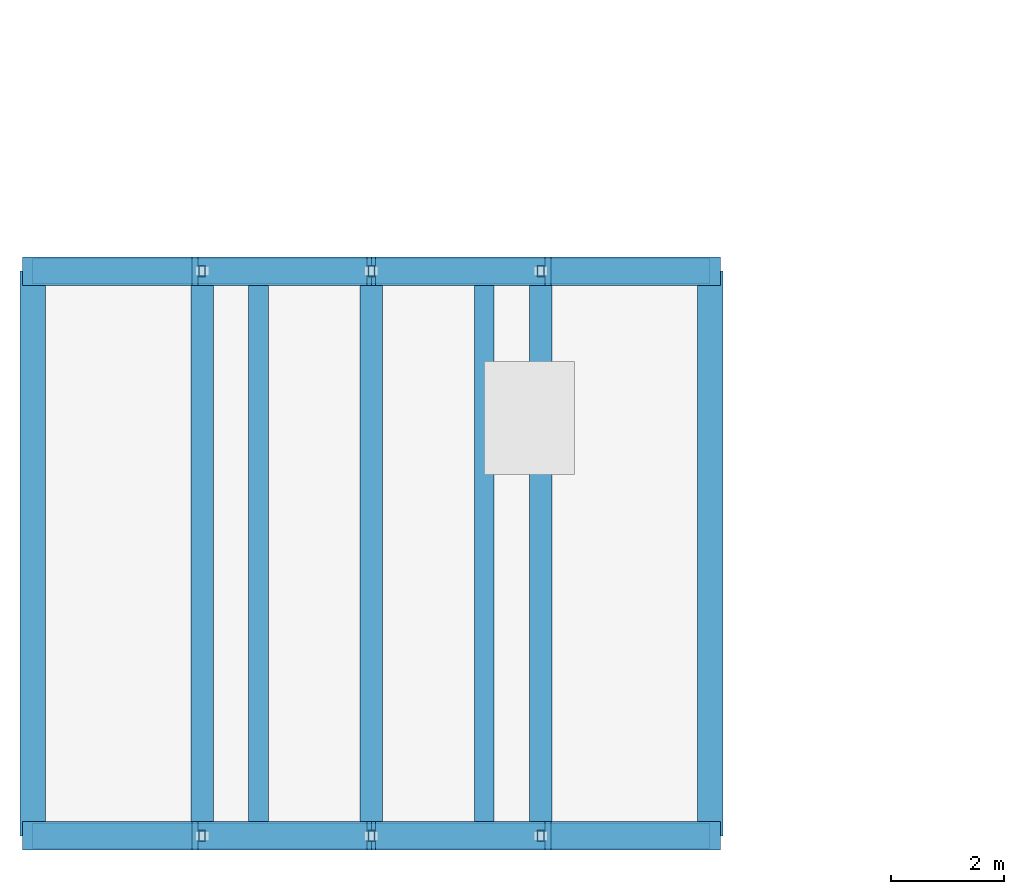
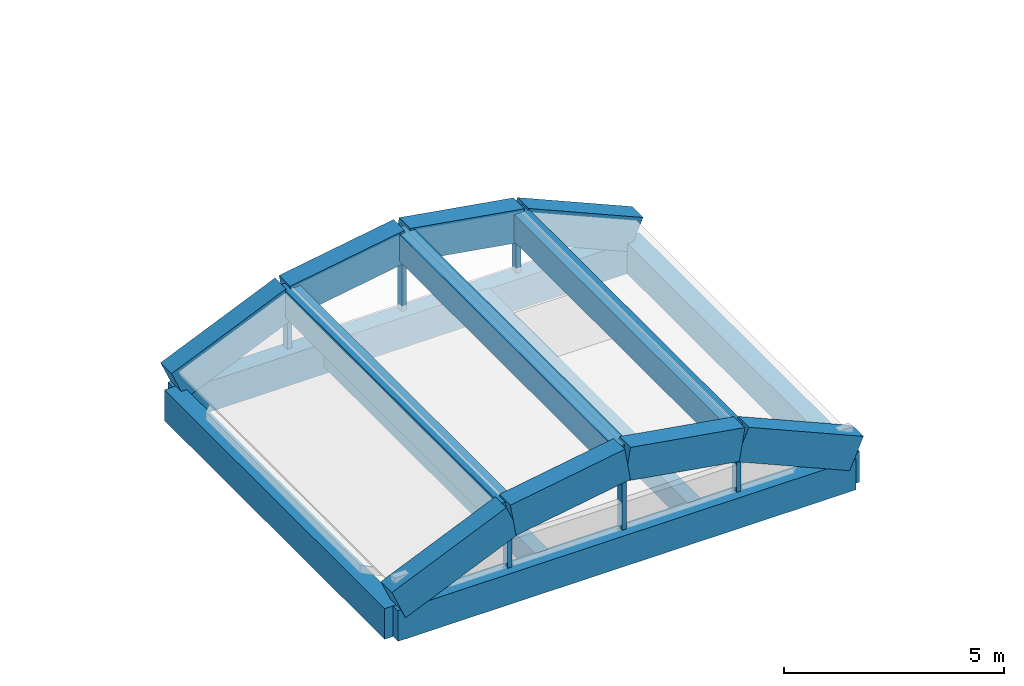
# One storey, part 5 of 82: 17 beams, 6 members.
"""IFC4 building model written with IfcOpenShell, lengths in metres."""

from ifc_helpers import new_model, si_unit, direction, frame, origin, origin_2d, place, context, subcontext, project, spatial, rectangle, hollow_rectangle, extrude, material, material_profile, profile_set, type_object, element, save


model = new_model("IFC4")

# Units and contexts
model_context = context("Model", 3, precision=1e-05, world=origin(), true_north=direction((0.0, 1.0)))
body_context = subcontext(model_context, "Body", "Model", "MODEL_VIEW")
ifc_project = project(units=[si_unit("LENGTHUNIT", "METRE"), si_unit("AREAUNIT", "SQUARE_METRE"), si_unit("VOLUMEUNIT", "CUBIC_METRE"), si_unit("PLANEANGLEUNIT", "RADIAN"), si_unit("MASSUNIT", "GRAM", prefix="KILO")], contexts=[model_context])

# Site, building, storey
site_placement = place(None, origin())
site = spatial("IfcSite", under=ifc_project, at=site_placement, CompositionType="ELEMENT")
building_placement = place(site_placement, origin())
building = spatial("IfcBuilding", under=site, at=building_placement, Name="Mersad Railyard Sports Hall", CompositionType="ELEMENT")
storey_placement = place(building_placement, frame((0.0, 0.0, 13.199951171875)))
storey = spatial("IfcBuildingStorey", under=building, at=storey_placement, Name="L03", CompositionType="ELEMENT", Elevation=13.199951171875)

# Beams
ifc_material_1 = material(Name="Concrete C40/50", Category="concrete")
ifc_material_profile_1 = material_profile(ifc_material_1, rectangle(XDim=0.39990234375, YDim=0.75, at=origin_2d()), Name="RC 400x750")
ifc_profile_set_1 = profile_set([ifc_material_profile_1], Name="Concrete C40/50")
beam_type_1 = type_object("IfcBeamType", Name="STR-BM-B01", PredefinedType="BEAM", material=ifc_profile_set_1)
for number, where, z_axis, x_axis, name in (
    (1, (10.0, 3.5, 1.25), (0.0, 1.0, 0.0), (-1.0, 0.0, 0.0), "Beam B01-1589"),
    (2, (13.0, 3.5, 1.75), (0.0, 1.0, 0.0), (-1.0, 0.0, 0.0), "Beam B01-1590"),
    (3, (16.0, 3.5, 1.25), (0.0, 1.0, 0.0), (-1.0, 0.0, 0.0), "Beam B01-1591"),
):
    element("IfcBeam", number, at=place(storey_placement, frame(where, z_axis=z_axis, x_axis=x_axis)), inside=storey, type_object=beam_type_1, Name=name, PredefinedType="BEAM", context=body_context, shape_type="SweptSolid", body=[
        extrude(rectangle(XDim=0.39990234375, YDim=0.75, at=origin_2d()), origin(), (0.0, 0.0, 1.0), 10.0),
    ])
ifc_material_profile_2 = material_profile(ifc_material_1, rectangle(XDim=0.449951171875, YDim=0.85009765625, at=origin_2d()), Name="RC 450x850")
ifc_profile_set_2 = profile_set([ifc_material_profile_2], Name="Concrete C40/50")
beam_type_2 = type_object("IfcBeamType", Name="STR-BM-B02", PredefinedType="BEAM", material=ifc_profile_set_2)
for number, where, z_axis, x_axis, name in (
    (4, (7.0, 3.5, -0.64501953125), (1.0, 0.0, 0.0), (0.0, 1.0, 0.0), "Beam B02-0560"),
    (5, (7.0, 13.5, -0.64501953125), (1.0, 0.0, 0.0), (0.0, 1.0, 0.0), "Beam B02-0561"),
):
    element("IfcBeam", number, at=place(storey_placement, frame(where, z_axis=z_axis, x_axis=x_axis)), inside=storey, type_object=beam_type_2, Name=name, PredefinedType="BEAM", context=body_context, shape_type="SweptSolid", body=[
        extrude(rectangle(XDim=0.449951171875, YDim=0.85009765625, at=origin_2d()), origin(), (0.0, 0.0, 1.0), 12.0),
    ])
for number, where, z_axis, x_axis, name in (
    (6, (7.0, 3.5, -0.64501953125), (0.0, 1.0, 0.0), (-1.0, 0.0, 0.0), "Beam B02-0562"),
    (7, (19.0, 3.5, -0.64501953125), (0.0, 1.0, 0.0), (-1.0, 0.0, 0.0), "Beam B02-0563"),
):
    element("IfcBeam", number, at=place(storey_placement, frame(where, z_axis=z_axis, x_axis=x_axis)), inside=storey, type_object=beam_type_2, Name=name, PredefinedType="BEAM", context=body_context, shape_type="SweptSolid", body=[
        extrude(rectangle(XDim=0.449951171875, YDim=0.85009765625, at=origin_2d()), origin(), (0.0, 0.0, 1.0), 10.0),
    ])
ifc_material_profile_3 = material_profile(ifc_material_1, rectangle(XDim=0.35009765625, YDim=0.64990234375, at=origin_2d()), Name="RC 350x650")
ifc_profile_set_3 = profile_set([ifc_material_profile_3], Name="Concrete C40/50")
beam_type_3 = type_object("IfcBeamType", Name="STR-BM-J01", PredefinedType="JOIST", material=ifc_profile_set_3)
for number, where, z_axis, x_axis, name in (
    (8, (11.0, 3.679931640625, -0.544921875), (0.0, 1.0, 0.0), (-1.0, 0.0, 0.0), "Beam J01-0564"),
    (9, (15.0, 3.679931640625, -0.544921875), (0.0, 1.0, 0.0), (-1.0, 0.0, 0.0), "Beam J01-0565"),
):
    element("IfcBeam", number, at=place(storey_placement, frame(where, z_axis=z_axis, x_axis=x_axis)), inside=storey, type_object=beam_type_3, Name=name, PredefinedType="JOIST", context=body_context, shape_type="SweptSolid", body=[
        extrude(rectangle(XDim=0.35009765625, YDim=0.64990234375, at=origin_2d()), origin(), (0.0, 0.0, 1.0), 9.64013671875),
    ])
ifc_material_2 = material(Name="Architectural concrete C50/60", Category="concrete")
ifc_material_profile_4 = material_profile(ifc_material_2, rectangle(XDim=0.5, YDim=0.89990234375, at=origin_2d()), Name="VR 500x900")
ifc_profile_set_4 = profile_set([ifc_material_profile_4], Name="Architectural concrete C50/60")
beam_type_4 = type_object("IfcBeamType", Name="STR-BM-VR02", PredefinedType="BEAM", material=ifc_profile_set_4)
beam_1_placement = place(storey_placement, frame((7.0, 3.5, -0.050048828125), z_axis=(0.917550176867, 0.0, 0.397620010727), x_axis=(0.0, 1.0, 0.0)))
element("IfcBeam", 10, at=beam_1_placement, inside=storey, type_object=beam_type_4, Name="Beam VR02-1581", PredefinedType="BEAM", context=body_context, shape_type="SweptSolid", body=[
    extrude(rectangle(XDim=0.5, YDim=0.89990234375, at=origin_2d()), origin(), (0.0, 0.0, 1.0), 3.26953125),
])
for number, where, z_axis, x_axis, name in (
    (11, (10.0, 3.5, 1.25), (0.986393923832, 0.0, 0.164398987305), (0.0, 1.0, 0.0), "Beam VR02-1582"),
    (12, (13.0, 3.5, 1.75), (0.986393923832, 0.0, -0.164398987305), (0.0, 1.0, 0.0), "Beam VR02-1583"),
):
    element("IfcBeam", number, at=place(storey_placement, frame(where, z_axis=z_axis, x_axis=x_axis)), inside=storey, type_object=beam_type_4, Name=name, PredefinedType="BEAM", context=body_context, shape_type="SweptSolid", body=[
        extrude(rectangle(XDim=0.5, YDim=0.89990234375, at=origin_2d()), origin(), (0.0, 0.0, 1.0), 3.041259765625),
    ])
for number, where, z_axis, x_axis, name in (
    (13, (16.0, 3.5, 1.25), (0.917550176867, 0.0, -0.397620010727), (0.0, 1.0, 0.0), "Beam VR02-1584"),
    (14, (7.0, 13.5, -0.050048828125), (0.917550176867, 0.0, 0.397620010727), (0.0, 1.0, 0.0), "Beam VR02-1585"),
):
    element("IfcBeam", number, at=place(storey_placement, frame(where, z_axis=z_axis, x_axis=x_axis)), inside=storey, type_object=beam_type_4, Name=name, PredefinedType="BEAM", context=body_context, shape_type="SweptSolid", body=[
        extrude(rectangle(XDim=0.5, YDim=0.89990234375, at=origin_2d()), origin(), (0.0, 0.0, 1.0), 3.26953125),
    ])
for number, where, z_axis, x_axis, name in (
    (15, (10.0, 13.5, 1.25), (0.986393923832, 0.0, 0.164398987305), (0.0, 1.0, 0.0), "Beam VR02-1586"),
    (16, (13.0, 13.5, 1.75), (0.986393923832, 0.0, -0.164398987305), (0.0, 1.0, 0.0), "Beam VR02-1587"),
):
    element("IfcBeam", number, at=place(storey_placement, frame(where, z_axis=z_axis, x_axis=x_axis)), inside=storey, type_object=beam_type_4, Name=name, PredefinedType="BEAM", context=body_context, shape_type="SweptSolid", body=[
        extrude(rectangle(XDim=0.5, YDim=0.89990234375, at=origin_2d()), origin(), (0.0, 0.0, 1.0), 3.041259765625),
    ])
beam_2_placement = place(storey_placement, frame((16.0, 13.5, 1.25), z_axis=(0.917550176867, 0.0, -0.397620010727), x_axis=(0.0, 1.0, 0.0)))
element("IfcBeam", 17, at=beam_2_placement, inside=storey, type_object=beam_type_4, Name="Beam VR02-1588", PredefinedType="BEAM", context=body_context, shape_type="SweptSolid", body=[
    extrude(rectangle(XDim=0.5, YDim=0.89990234375, at=origin_2d()), origin(), (0.0, 0.0, 1.0), 3.26953125),
])

# Members
ifc_material_3 = material(Name="Steel S355", Category="steel")
ifc_material_profile_5 = material_profile(ifc_material_3, hollow_rectangle(XDim=0.1201171875, YDim=0.199951171875, WallThickness=0.010009765625, at=origin_2d()), Name="RHS 200x120x10")
ifc_profile_set_5 = profile_set([ifc_material_profile_5], Name="Steel S355")
member_type = type_object("IfcMemberType", Name="STR-MEM-SR01", PredefinedType="STRUT", material=ifc_profile_set_5)
member_1_placement = place(storey_placement, frame((10.0, 3.5, -0.14990234375), z_axis=(0.0, 0.0, 1.0), x_axis=(1.0, 0.0, 0.0)))
element("IfcMember", 18, at=member_1_placement, inside=storey, type_object=member_type, Name="Structural member SR01-0384", PredefinedType="STRUT", context=body_context, shape_type="SweptSolid", body=[
    extrude(hollow_rectangle(XDim=0.1201171875, YDim=0.199951171875, WallThickness=0.010009765625, at=origin_2d()), origin(), (0.0, 0.0, 1.0), 1.39990234375),
])
member_2_placement = place(storey_placement, frame((13.0, 3.5, -0.14990234375), z_axis=(0.0, 0.0, 1.0), x_axis=(1.0, 0.0, 0.0)))
element("IfcMember", 19, at=member_2_placement, inside=storey, type_object=member_type, Name="Structural member SR01-0385", PredefinedType="STRUT", context=body_context, shape_type="SweptSolid", body=[
    extrude(hollow_rectangle(XDim=0.1201171875, YDim=0.199951171875, WallThickness=0.010009765625, at=origin_2d()), origin(), (0.0, 0.0, 1.0), 1.89990234375),
])
for number, where, z_axis, x_axis, name in (
    (20, (16.0, 3.5, -0.14990234375), (0.0, 0.0, 1.0), (1.0, 0.0, 0.0), "Structural member SR01-0386"),
    (21, (10.0, 13.5, -0.14990234375), (0.0, 0.0, 1.0), (1.0, 0.0, 0.0), "Structural member SR01-0387"),
):
    element("IfcMember", number, at=place(storey_placement, frame(where, z_axis=z_axis, x_axis=x_axis)), inside=storey, type_object=member_type, Name=name, PredefinedType="STRUT", context=body_context, shape_type="SweptSolid", body=[
        extrude(hollow_rectangle(XDim=0.1201171875, YDim=0.199951171875, WallThickness=0.010009765625, at=origin_2d()), origin(), (0.0, 0.0, 1.0), 1.39990234375),
    ])
member_3_placement = place(storey_placement, frame((13.0, 13.5, -0.14990234375), z_axis=(0.0, 0.0, 1.0), x_axis=(1.0, 0.0, 0.0)))
element("IfcMember", 22, at=member_3_placement, inside=storey, type_object=member_type, Name="Structural member SR01-0388", PredefinedType="STRUT", context=body_context, shape_type="SweptSolid", body=[
    extrude(hollow_rectangle(XDim=0.1201171875, YDim=0.199951171875, WallThickness=0.010009765625, at=origin_2d()), origin(), (0.0, 0.0, 1.0), 1.89990234375),
])
member_4_placement = place(storey_placement, frame((16.0, 13.5, -0.14990234375), z_axis=(0.0, 0.0, 1.0), x_axis=(1.0, 0.0, 0.0)))
element("IfcMember", 23, at=member_4_placement, inside=storey, type_object=member_type, Name="Structural member SR01-0389", PredefinedType="STRUT", context=body_context, shape_type="SweptSolid", body=[
    extrude(hollow_rectangle(XDim=0.1201171875, YDim=0.199951171875, WallThickness=0.010009765625, at=origin_2d()), origin(), (0.0, 0.0, 1.0), 1.39990234375),
])

save(model, "model.ifc")
